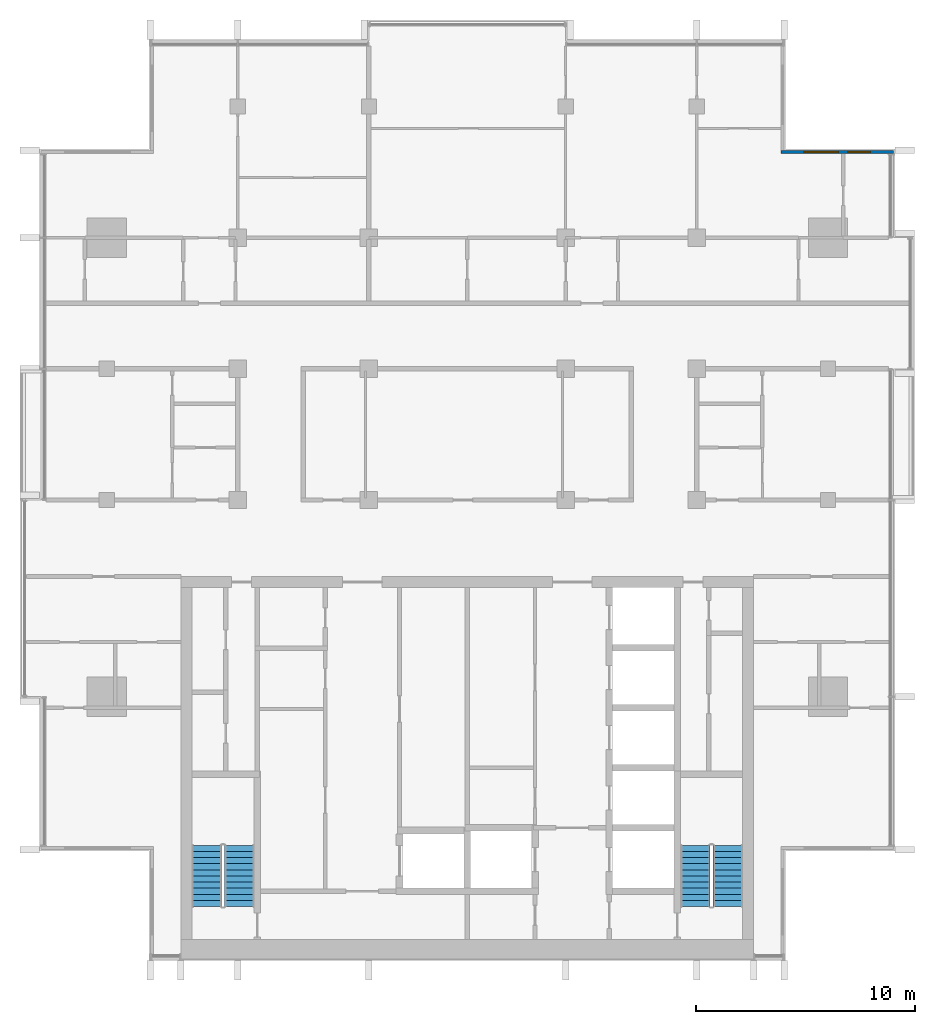
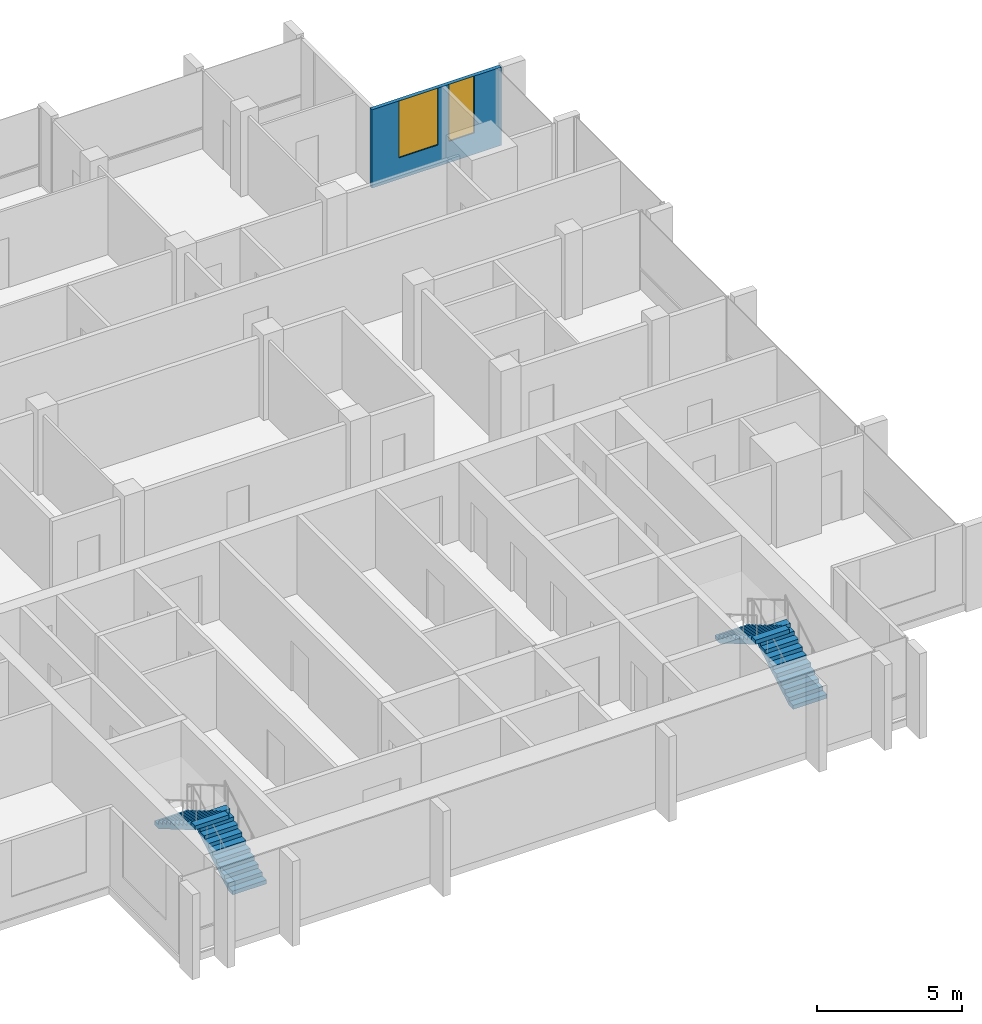
# One storey, part 11 of 16: 4 stair flights, 2 windows, 1 wall, 2 openings, 2 elements without a shape of their own.
"""IFC4 building model written with IfcOpenShell, lengths in metres."""

from ifc_helpers import new_model, si_unit, direction, frame, frame_2d, origin, place, context, subcontext, project, spatial, polyline, rectangle, outline, extrude, material, layer, layer_set, type_object, element, fill, aggregate, save


model = new_model("IFC4")

# Units and contexts
model_context = context("Model", 3, precision=1e-05, world=origin(), true_north=direction((0.0, 1.0)))
body_context = subcontext(model_context, "Body", "Model", "MODEL_VIEW")
ifc_project = project(units=[si_unit("LENGTHUNIT", "METRE"), si_unit("AREAUNIT", "SQUARE_METRE"), si_unit("VOLUMEUNIT", "CUBIC_METRE"), si_unit("PLANEANGLEUNIT", "RADIAN"), si_unit("MASSUNIT", "GRAM", prefix="KILO")], contexts=[model_context])

# Site, building, storey
site_placement = place(None, origin())
site = spatial("IfcSite", under=ifc_project, at=site_placement, CompositionType="ELEMENT")
building_placement = place(site_placement, origin())
building = spatial("IfcBuilding", under=site, at=building_placement, Name="Finial Court Residences", CompositionType="ELEMENT")
storey_placement = place(building_placement, frame((0.0, 0.0, 287.89990234375)))
storey = spatial("IfcBuildingStorey", under=building, at=storey_placement, Name="L73", CompositionType="ELEMENT", Elevation=287.89990234375)

# Wall, openings, windows
ifc_material_1 = material(Name="Natural limestone", Category="masonry")
ifc_layer = layer(ifc_material_1, 0.14990234375)
ifc_layer_set = layer_set([ifc_layer], Name="Limestone clad wall 150")
wall_type = type_object("IfcWallType", Name="Limestone clad wall 150", PredefinedType="SOLIDWALL", material=ifc_layer_set)
wall_placement = place(storey_placement, frame((14.35009765625, 11.425048828125, 0.0), z_axis=(0.0, 0.0, 1.0), x_axis=(1.0, 0.0, 0.0)))
wall = element("IfcWall", 1, at=wall_placement, inside=storey, type_object=wall_type, Name="E-L73-NWN19", PredefinedType="SOLIDWALL", context=body_context, shape_type="SweptSolid", body=[
    extrude(rectangle(XDim=5.14990234375, YDim=0.14990234375, at=frame_2d((2.574951171875, 0.0))), origin(), (0.0, 0.0, 1.0), 3.300048828125),
])
opening_1_placement = place(wall_placement, frame((1.074951171875, 0.0, 0.89990234375)))
opening_1 = element("IfcOpeningElement", 2, at=opening_1_placement, cuts=wall, Name="Opening WE73-08", PredefinedType="OPENING", context=body_context, shape_type="SweptSolid", body=[
    extrude(rectangle(XDim=1.550048828125, YDim=2.39990234375, at=frame_2d((0.77490234375, 1.199951171875))), frame((0.0, 0.0849609375, 0.0), z_axis=(0.0, -1.0, 0.0), x_axis=(1.0, 0.0, 0.0)), (0.0, 0.0, 1.0), 0.169921875),
])
opening_2_placement = place(wall_placement, frame((3.074951171875, 0.0, 0.89990234375)))
opening_2 = element("IfcOpeningElement", 3, at=opening_2_placement, cuts=wall, Name="Opening WE73-09", PredefinedType="OPENING", context=body_context, shape_type="SweptSolid", body=[
    extrude(rectangle(XDim=1.0, YDim=2.39990234375, at=frame_2d((0.5, 1.199951171875))), frame((0.0, 0.0849609375, 0.0), z_axis=(0.0, -1.0, 0.0), x_axis=(1.0, 0.0, 0.0)), (0.0, 0.0, 1.0), 0.169921875),
])
ifc_material_2 = material(Name="Clear low-e glass", Category="glass")
window_type_1 = type_object("IfcWindowType", Name="Corner window 1000 x 2400", PartitioningType="SINGLE_PANEL", PredefinedType="WINDOW", material=ifc_material_2)
window_1_placement = place(opening_2_placement, origin())
window_1 = element("IfcWindow", 4, at=window_1_placement, inside=storey, type_object=window_type_1, Name="E-L73-NWN19-W2", OverallHeight=2.39990234375, OverallWidth=1.0, PartitioningType="SINGLE_PANEL", PredefinedType="WINDOW", context=body_context, shape_type="SweptSolid", body=[
    extrude(rectangle(XDim=1.0, YDim=2.39990234375, at=frame_2d((0.5, 1.199951171875))), frame((0.0, 0.030029296875, 0.0), z_axis=(0.0, -1.0, 0.0), x_axis=(1.0, 0.0, 0.0)), (0.0, 0.0, 1.0), 0.06005859375),
])
fill(opening_2, window_1)
window_type_2 = type_object("IfcWindowType", Name="Corner window 1550 x 2400", PartitioningType="SINGLE_PANEL", PredefinedType="WINDOW", material=ifc_material_2)
window_2_placement = place(opening_1_placement, origin())
window_2 = element("IfcWindow", 5, at=window_2_placement, inside=storey, type_object=window_type_2, Name="E-L73-NWN19-W1", OverallHeight=2.39990234375, OverallWidth=1.550048828125, PartitioningType="SINGLE_PANEL", PredefinedType="WINDOW", context=body_context, shape_type="SweptSolid", body=[
    extrude(rectangle(XDim=1.550048828125, YDim=2.39990234375, at=frame_2d((0.77490234375, 1.199951171875))), frame((0.0, 0.030029296875, 0.0), z_axis=(0.0, -1.0, 0.0), x_axis=(1.0, 0.0, 0.0)), (0.0, 0.0, 1.0), 0.06005859375),
])
fill(opening_1, window_2)

# Stair, stair flights
ifc_material_3 = material(Name="Concrete C50/60", Category="concrete")
stair_type = type_object("IfcStairType", Name="Exit stair 22 risers of 163.6 mm", PredefinedType="HALF_TURN_STAIR", material=ifc_material_3)
stair_1_placement = place(storey_placement, origin())
stair_1 = element("IfcStair", 6, at=stair_1_placement, inside=storey, type_object=stair_type, Name="L73 Exit stair ST-1", PredefinedType="HALF_TURN_STAIR")
stair_flight_type = type_object("IfcStairFlightType", Name="Exit stair flight", PredefinedType="STRAIGHT", material=ifc_material_3)
stair_flight_1_placement = place(storey_placement, frame((-10.425048828125, -23.10009765625, 0.0), z_axis=(0.0, 0.0, 1.0), x_axis=(0.0, 1.0, 0.0)))
stair_flight_1 = element("IfcStairFlight", 7, at=stair_flight_1_placement, type_object=stair_flight_type, Name="ST-1 flight 1", NumberOfRisers=11, NumberOfTreads=10, PredefinedType="STRAIGHT", RiserHeight=0.163636364, TreadLength=0.28, context=body_context, shape_type="SweptSolid", body=[
    extrude(outline(polyline([(0.0, 0.0), (0.0, 0.16357421875), (0.280029296875, 0.16357421875), (0.280029296875, 0.327392578125), (0.56005859375, 0.327392578125), (0.56005859375, 0.490966796875), (0.840087890625, 0.490966796875), (0.840087890625, 0.654541015625), (1.1201171875, 0.654541015625), (1.1201171875, 0.818115234375), (1.39990234375, 0.818115234375), (1.39990234375, 0.98193359375), (1.679931640625, 0.98193359375), (1.679931640625, 1.1455078125), (1.9599609375, 1.1455078125), (1.9599609375, 1.30908203125), (2.239990234375, 1.30908203125), (2.239990234375, 1.47265625), (2.52001953125, 1.47265625), (2.52001953125, 1.636474609375), (2.800048828125, 1.636474609375), (2.800048828125, 1.800048828125), (2.800048828125, 1.462646484375), (0.297119140625, 0.0), (0.0, 0.0)])), frame((0.0, 0.675048828125, 0.0), z_axis=(0.0, -1.0, 0.0), x_axis=(1.0, 0.0, 0.0)), (0.0, 0.0, 1.0), 1.35009765625),
])
stair_flight_2_placement = place(storey_placement, frame((-11.925048828125, -20.300048828125, 1.800048828125), z_axis=(0.0, 0.0, 1.0), x_axis=(0.0, -1.0, 0.0)))
stair_flight_2 = element("IfcStairFlight", 8, at=stair_flight_2_placement, type_object=stair_flight_type, Name="ST-1 flight 2", NumberOfRisers=11, NumberOfTreads=10, PredefinedType="STRAIGHT", RiserHeight=0.163636364, TreadLength=0.28, context=body_context, shape_type="SweptSolid", body=[
    extrude(outline(polyline([(0.0, 0.0), (0.0, 0.16357421875), (0.280029296875, 0.16357421875), (0.280029296875, 0.327392578125), (0.56005859375, 0.327392578125), (0.56005859375, 0.490966796875), (0.840087890625, 0.490966796875), (0.840087890625, 0.654541015625), (1.1201171875, 0.654541015625), (1.1201171875, 0.818115234375), (1.39990234375, 0.818115234375), (1.39990234375, 0.98193359375), (1.679931640625, 0.98193359375), (1.679931640625, 1.1455078125), (1.9599609375, 1.1455078125), (1.9599609375, 1.30908203125), (2.239990234375, 1.30908203125), (2.239990234375, 1.47265625), (2.52001953125, 1.47265625), (2.52001953125, 1.636474609375), (2.800048828125, 1.636474609375), (2.800048828125, 1.800048828125), (2.800048828125, 1.462646484375), (0.297119140625, 0.0), (0.0, 0.0)])), frame((0.0, 0.675048828125, 0.0), z_axis=(0.0, -1.0, 0.0), x_axis=(1.0, 0.0, 0.0)), (0.0, 0.0, 1.0), 1.35009765625),
])
aggregate(stair_1, [stair_flight_1, stair_flight_2])

stair_2_placement = place(storey_placement, origin())
stair_2 = element("IfcStair", 9, at=stair_2_placement, inside=storey, type_object=stair_type, Name="L73 Exit stair ST-2", PredefinedType="HALF_TURN_STAIR")
stair_flight_3_placement = place(storey_placement, frame((11.925048828125, -23.10009765625, 0.0), z_axis=(0.0, 0.0, 1.0), x_axis=(0.0, 1.0, 0.0)))
stair_flight_3 = element("IfcStairFlight", 10, at=stair_flight_3_placement, type_object=stair_flight_type, Name="ST-2 flight 1", NumberOfRisers=11, NumberOfTreads=10, PredefinedType="STRAIGHT", RiserHeight=0.163636364, TreadLength=0.28, context=body_context, shape_type="SweptSolid", body=[
    extrude(outline(polyline([(0.0, 0.0), (0.0, 0.16357421875), (0.280029296875, 0.16357421875), (0.280029296875, 0.327392578125), (0.56005859375, 0.327392578125), (0.56005859375, 0.490966796875), (0.840087890625, 0.490966796875), (0.840087890625, 0.654541015625), (1.1201171875, 0.654541015625), (1.1201171875, 0.818115234375), (1.39990234375, 0.818115234375), (1.39990234375, 0.98193359375), (1.679931640625, 0.98193359375), (1.679931640625, 1.1455078125), (1.9599609375, 1.1455078125), (1.9599609375, 1.30908203125), (2.239990234375, 1.30908203125), (2.239990234375, 1.47265625), (2.52001953125, 1.47265625), (2.52001953125, 1.636474609375), (2.800048828125, 1.636474609375), (2.800048828125, 1.800048828125), (2.800048828125, 1.462646484375), (0.297119140625, 0.0), (0.0, 0.0)])), frame((0.0, 0.675048828125, 0.0), z_axis=(0.0, -1.0, 0.0), x_axis=(1.0, 0.0, 0.0)), (0.0, 0.0, 1.0), 1.35009765625),
])
stair_flight_4_placement = place(storey_placement, frame((10.425048828125, -20.300048828125, 1.800048828125), z_axis=(0.0, 0.0, 1.0), x_axis=(0.0, -1.0, 0.0)))
stair_flight_4 = element("IfcStairFlight", 11, at=stair_flight_4_placement, type_object=stair_flight_type, Name="ST-2 flight 2", NumberOfRisers=11, NumberOfTreads=10, PredefinedType="STRAIGHT", RiserHeight=0.163636364, TreadLength=0.28, context=body_context, shape_type="SweptSolid", body=[
    extrude(outline(polyline([(0.0, 0.0), (0.0, 0.16357421875), (0.280029296875, 0.16357421875), (0.280029296875, 0.327392578125), (0.56005859375, 0.327392578125), (0.56005859375, 0.490966796875), (0.840087890625, 0.490966796875), (0.840087890625, 0.654541015625), (1.1201171875, 0.654541015625), (1.1201171875, 0.818115234375), (1.39990234375, 0.818115234375), (1.39990234375, 0.98193359375), (1.679931640625, 0.98193359375), (1.679931640625, 1.1455078125), (1.9599609375, 1.1455078125), (1.9599609375, 1.30908203125), (2.239990234375, 1.30908203125), (2.239990234375, 1.47265625), (2.52001953125, 1.47265625), (2.52001953125, 1.636474609375), (2.800048828125, 1.636474609375), (2.800048828125, 1.800048828125), (2.800048828125, 1.462646484375), (0.297119140625, 0.0), (0.0, 0.0)])), frame((0.0, 0.675048828125, 0.0), z_axis=(0.0, -1.0, 0.0), x_axis=(1.0, 0.0, 0.0)), (0.0, 0.0, 1.0), 1.35009765625),
])
aggregate(stair_2, [stair_flight_3, stair_flight_4])

save(model, "model.ifc")
